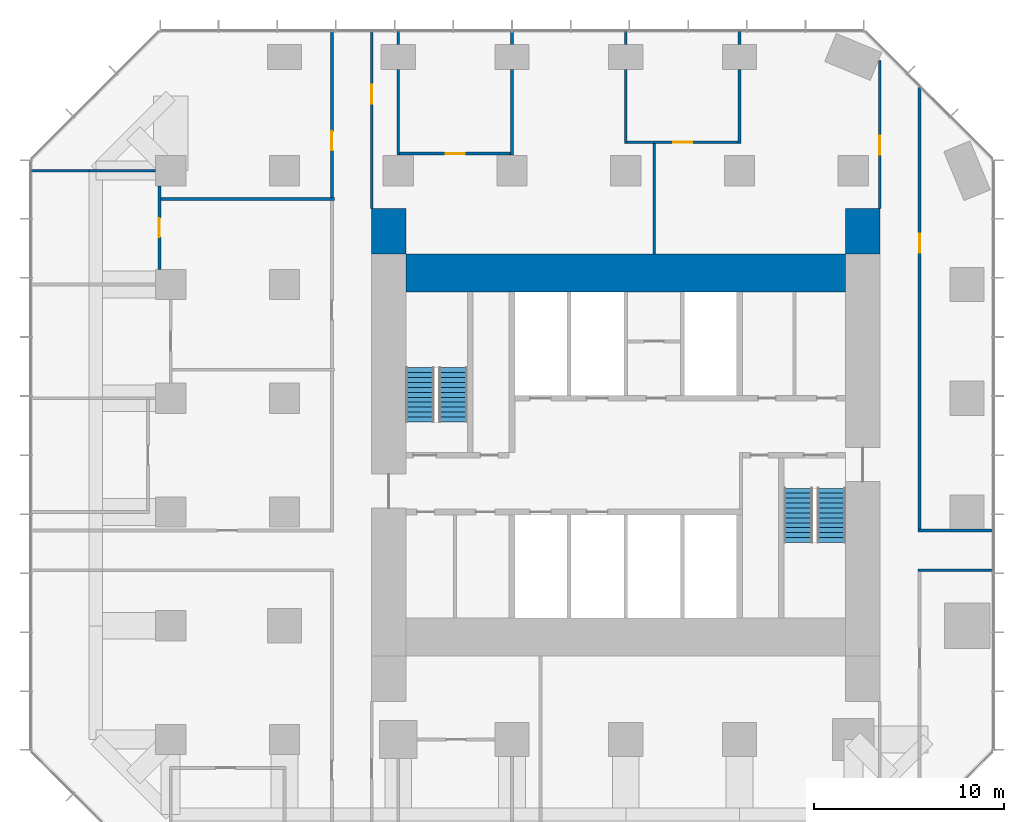
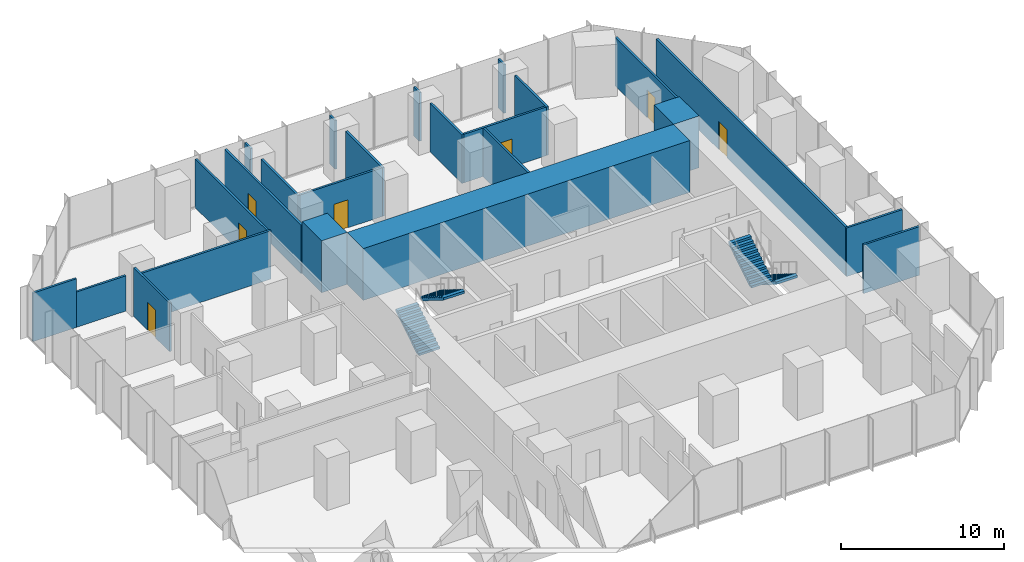
# One storey, part 10 of 11: 24 walls, 7 doors, 4 stair flights, 7 openings, 2 elements without a shape of their own.
"""IFC4 building model written with IfcOpenShell, lengths in metres."""

import ifcopenshell
import ifcopenshell.guid

model = None  # the IFC model being written
_history = None  # IfcOwnerHistory: only IFC2X3 demands one
_inside = {}  # id of a spatial element -> (the spatial element, [elements in it])
_under = {}  # id of a project, library or spatial element -> (it, [spatial elements below it])
_declared = {}  # id of a project -> (the project, [libraries it declares])
_typed = {}  # id of a type object -> (the type object, [elements of that type])
_made_of = {}  # id of a material, layer set ... -> (it, [elements and type objects made of it])


def new_model(schema):
    """Start an empty IFC model of exactly this schema.

    Asked for "IFC4X3", IfcOpenShell would pick the latest addendum, in which some entities
    have other attributes; the version numbers below select the first issue.
    IFC2X3 requires an IfcOwnerHistory on every rooted entity: one is made here for all.
    """
    global model, _history
    if schema == "IFC4X3":
        model = ifcopenshell.file(schema_version=(4, 3, 0, 0))
    else:
        model = ifcopenshell.file(schema=schema)
    _inside.clear()
    _under.clear()
    _declared.clear()
    _typed.clear()
    _made_of.clear()
    _history = None
    if model.schema == "IFC2X3":
        org = make("IfcOrganization", Name="unknown")
        user = make(
            "IfcPersonAndOrganization",
            ThePerson=make("IfcPerson", FamilyName="unknown"),
            TheOrganization=org,
        )
        app = make(
            "IfcApplication",
            ApplicationDeveloper=org,
            Version="unknown",
            ApplicationFullName="unknown",
            ApplicationIdentifier="unknown",
        )
        _history = make(
            "IfcOwnerHistory",
            OwningUser=user,
            OwningApplication=app,
            ChangeAction="ADDED",
            CreationDate=0,
        )
    return model


def make(cls, **values):
    """One entity of the class cls with the attributes given. An attribute that is None is left unset."""
    return model.create_entity(
        cls, **{name: value for name, value in values.items() if value is not None}
    )


def rooted(cls, **values):
    """An entity with a GlobalId (a new one), such as an element, a storey or a relation."""
    return make(cls, GlobalId=ifcopenshell.guid.new(), OwnerHistory=_history, **values)


def si_unit(unit_type, name, prefix=None):
    """IfcSIUnit, for example si_unit("LENGTHUNIT", "METRE", prefix="MILLI")."""
    return make("IfcSIUnit", UnitType=unit_type, Prefix=prefix, Name=name)


def assignment(units):
    """IfcUnitAssignment: the units of a project."""
    return None if units is None else make("IfcUnitAssignment", Units=units)


def point(xyz):
    """IfcCartesianPoint."""
    return None if xyz is None else make("IfcCartesianPoint", Coordinates=xyz)


def direction(xyz):
    """IfcDirection."""
    return None if xyz is None else make("IfcDirection", DirectionRatios=xyz)


def frame(location, z_axis=None, x_axis=None):
    """IfcAxis2Placement3D, a coordinate frame: its origin and axes. An axis left out is left unset."""
    return make(
        "IfcAxis2Placement3D",
        Location=point(location),
        Axis=direction(z_axis),
        RefDirection=direction(x_axis),
    )


def frame_2d(location, x_axis=None):
    """IfcAxis2Placement2D, a coordinate frame in the plane: its origin and x axis."""
    return make(
        "IfcAxis2Placement2D", Location=point(location), RefDirection=direction(x_axis)
    )


def origin():
    """The frame at (0, 0, 0) with its axes left unset."""
    return frame((0.0, 0.0, 0.0))


def place(relative_to, where):
    """IfcLocalPlacement: puts the frame where relative to a parent placement (None: the world)."""
    return make(
        "IfcLocalPlacement", PlacementRelTo=relative_to, RelativePlacement=where
    )


def context(
    kind, dimensions, precision=None, world=None, true_north=None, identifier=None
):
    """IfcGeometricRepresentationContext, for example the 3D "Model" context."""
    return make(
        "IfcGeometricRepresentationContext",
        ContextIdentifier=identifier,
        ContextType=kind,
        CoordinateSpaceDimension=dimensions,
        Precision=precision,
        WorldCoordinateSystem=world,
        TrueNorth=true_north,
    )


def subcontext(parent, identifier, kind, view, scale=None):
    """IfcGeometricRepresentationSubContext, for example "Body" below "Model"."""
    return make(
        "IfcGeometricRepresentationSubContext",
        ContextIdentifier=identifier,
        ContextType=kind,
        ParentContext=parent,
        TargetScale=scale,
        TargetView=view,
    )


def project(units=None, contexts=None):
    """IfcProject with its units and contexts."""
    return rooted(
        "IfcProject",
        Name="project",
        RepresentationContexts=contexts,
        UnitsInContext=assignment(units),
    )


def spatial(cls, under=None, at=None, **own):
    """A site, building, storey or space (cls), placed at a placement, below another one or the project."""
    s = rooted(cls, ObjectPlacement=at, **own)
    if under is not None:
        _under.setdefault(under.id(), (under, []))[1].append(s)
    return s


def polyline(points):
    """IfcPolyline through the points."""
    return make("IfcPolyline", Points=[point(p) for p in points])


def profile(cls, at=None, kind="AREA", **sizes):
    """A parametric profile (cls). Its sizes go by their IFC names, for example OverallWidth=200.0."""
    return make(cls, ProfileType=kind, Position=at, **sizes)


def rectangle(**sizes):
    """IfcRectangleProfileDef."""
    return profile("IfcRectangleProfileDef", **sizes)


def outline(outer, holes=None, kind="AREA"):
    """IfcArbitraryClosedProfileDef: a profile drawn as a closed curve; with holes, ...WithVoids."""
    if holes is None:
        return make("IfcArbitraryClosedProfileDef", ProfileType=kind, OuterCurve=outer)
    return make(
        "IfcArbitraryProfileDefWithVoids",
        ProfileType=kind,
        OuterCurve=outer,
        InnerCurves=holes,
    )


def extrude(swept, where, along, depth):
    """IfcExtrudedAreaSolid: the profile swept, set in the frame where, extruded along a direction by depth."""
    return make(
        "IfcExtrudedAreaSolid",
        SweptArea=swept,
        Position=where,
        ExtrudedDirection=direction(along),
        Depth=depth,
    )


def shape(context_of_items, identifier, shape_type, items):
    """IfcShapeRepresentation: the items that make up one representation, for example the "Body"."""
    return make(
        "IfcShapeRepresentation",
        ContextOfItems=context_of_items,
        RepresentationIdentifier=identifier,
        RepresentationType=shape_type,
        Items=items,
    )


def material(Name=None, Category=None):
    """IfcMaterial."""
    return make("IfcMaterial", Name=Name, Category=Category)


def layer(
    of_material, thickness, ventilated=None, Name=None, Category=None, Priority=None
):
    """IfcMaterialLayer: one layer of a wall or slab, of a material (None: an air gap)."""
    return make(
        "IfcMaterialLayer",
        Material=of_material,
        LayerThickness=thickness,
        IsVentilated=ventilated,
        Name=Name,
        Category=Category,
        Priority=Priority,
    )


def layer_set(layers, Name=None):
    """IfcMaterialLayerSet."""
    return make("IfcMaterialLayerSet", MaterialLayers=layers, LayerSetName=Name)


def made_of(thing, what):
    """Note that an element or type object is made of a material, layer set ...; save() writes the relation."""
    if what is not None:
        _made_of.setdefault(what.id(), (what, []))[1].append(thing)
    return thing


def type_object(cls, material=None, **own):
    """A type object (cls), such as IfcWallType, which elements share."""
    return made_of(rooted(cls, **own), material)


def element(
    cls,
    number,
    at=None,
    inside=None,
    cuts=None,
    type_object=None,
    material=None,
    context=None,
    identifier="Body",
    shape_type=None,
    held_by="IfcProductDefinitionShape",
    body=None,
    shapes=None,
    **own,
):
    """One element of the class cls, such as IfcWall. Its Tag is "e" and its number.

    at: its placement. inside: the storey or other place that contains it. cuts: it is an
    opening in that element (IfcRelVoidsElement). A single representation is given by context,
    identifier, shape_type and body (its items); several are given by shapes. held_by: the class
    of the entity that holds the representations. save() writes the other relations.
    """
    e = rooted(cls, Tag="e%d" % number, ObjectPlacement=at, **own)
    if body is not None:
        shapes = [shape(context, identifier, shape_type, body)]
    if shapes is not None:
        e.Representation = make(held_by, Representations=shapes)
    if inside is not None:
        _inside.setdefault(inside.id(), (inside, []))[1].append(e)
    if cuts is not None:
        rooted(
            "IfcRelVoidsElement", RelatingBuildingElement=cuts, RelatedOpeningElement=e
        )
    if type_object is not None:
        _typed.setdefault(type_object.id(), (type_object, []))[1].append(e)
    return made_of(e, material)


def fill(opening, filler):
    """IfcRelFillsElement: the door or window that sits in an opening."""
    return rooted(
        "IfcRelFillsElement",
        RelatingOpeningElement=opening,
        RelatedBuildingElement=filler,
    )


def aggregate(whole, parts):
    """IfcRelAggregates: a whole, such as a stair, and the parts it consists of."""
    return rooted("IfcRelAggregates", RelatingObject=whole, RelatedObjects=parts)


def save(model, path):
    """Write the relations noted so far, then the file.

    IfcRelAggregates (storeys below a building ...), IfcRelContainedInSpatialStructure (elements
    in a storey), IfcRelDefinesByType, IfcRelAssociatesMaterial and IfcRelDeclares: one each for
    every whole, place, type object, material and project.
    """
    for whole, parts in _under.values():
        aggregate(whole, parts)
    for where, things in _inside.values():
        rooted(
            "IfcRelContainedInSpatialStructure",
            RelatedElements=things,
            RelatingStructure=where,
        )
    for kind, things in _typed.values():
        rooted("IfcRelDefinesByType", RelatedObjects=things, RelatingType=kind)
    for what, things in _made_of.values():
        rooted("IfcRelAssociatesMaterial", RelatedObjects=things, RelatingMaterial=what)
    for by, libraries in _declared.values():
        rooted("IfcRelDeclares", RelatingContext=by, RelatedDefinitions=libraries)
    model.write(path)


model = new_model("IFC4")

# Units and contexts
model_context = context("Model", 3, precision=1e-05, world=origin(), true_north=direction((0.0, 1.0)))
body_context = subcontext(model_context, "Body", "Model", "MODEL_VIEW")
ifc_project = project(units=[si_unit("LENGTHUNIT", "METRE"), si_unit("AREAUNIT", "SQUARE_METRE"), si_unit("VOLUMEUNIT", "CUBIC_METRE"), si_unit("PLANEANGLEUNIT", "RADIAN"), si_unit("MASSUNIT", "GRAM", prefix="KILO")], contexts=[model_context])

# Site, building, storey
site_placement = place(None, origin())
site = spatial("IfcSite", under=ifc_project, at=site_placement, CompositionType="ELEMENT")
building_placement = place(site_placement, origin())
building = spatial("IfcBuilding", under=site, at=building_placement, Name="Highveld Stack Headquarters", CompositionType="ELEMENT")
storey_placement = place(building_placement, frame((0.0, 0.0, 132.800048828125)))
storey = spatial("IfcBuildingStorey", under=building, at=storey_placement, Name="L32", CompositionType="ELEMENT", Elevation=132.800048828125)

# Walls
ifc_material_1 = material(Name="Concrete C60/75", Category="concrete")
ifc_layer_1 = layer(ifc_material_1, 2.0)
ifc_layer_set_1 = layer_set([ifc_layer_1], Name="Concrete C60/75")
wall_type_1 = type_object("IfcWallType", Name="CORE WALL 2000 C60/75", PredefinedType="SHEAR", material=ifc_layer_set_1)
wall_1_placement = place(storey_placement, frame((-5.60009765625, 12.60009765625, 0.0), z_axis=(0.0, 0.0, 1.0), x_axis=(1.0, 0.0, 0.0)))
element("IfcWall", 1, at=wall_1_placement, inside=storey, type_object=wall_type_1, Name="Core wall N L32", PredefinedType="SHEAR", context=body_context, shape_type="SweptSolid", body=[
    extrude(rectangle(XDim=23.2001953125, YDim=2.0, at=frame_2d((11.60009765625, 0.0))), origin(), (0.0, 0.0, 1.0), 3.89990234375),
])
ifc_material_2 = material(Name="Concrete C60/75", Category="concrete")
ifc_layer_2 = layer(ifc_material_2, 1.800048828125)
ifc_layer_set_2 = layer_set([ifc_layer_2], Name="Concrete C60/75")
wall_type_2 = type_object("IfcWallType", Name="CORE WING WALL 1800 C60/75", PredefinedType="SHEAR", material=ifc_layer_set_2)
for number, where, z_axis, x_axis, name in (
    (2, (-6.5, 13.60009765625, 0.0), (0.0, 0.0, 1.0), (0.0, 1.0, 0.0), "Core wing wall WN L32"),
    (3, (18.5, 13.60009765625, 0.0), (0.0, 0.0, 1.0), (0.0, 1.0, 0.0), "Core wing wall EN L32"),
):
    element("IfcWall", number, at=place(storey_placement, frame(where, z_axis=z_axis, x_axis=x_axis)), inside=storey, type_object=wall_type_2, Name=name, PredefinedType="SHEAR", context=body_context, shape_type="SweptSolid", body=[
        extrude(rectangle(XDim=2.39990234375, YDim=1.800048828125, at=frame_2d((1.199951171875, 0.0))), origin(), (0.0, 0.0, 1.0), 3.89990234375),
    ])

# Wall, opening, door
ifc_material_3 = material(Name="Laminated glass in aluminium frame", Category="aluminium")
ifc_layer_3 = layer(ifc_material_3, 0.14990234375)
ifc_layer_set_3 = layer_set([ifc_layer_3], Name="Laminated glass in aluminium frame")
wall_type_3 = type_object("IfcWallType", Name="GLAZED PARTITION 150", PredefinedType="PARTITIONING", material=ifc_layer_set_3)
wall_2_placement = place(storey_placement, frame((-18.60009765625, 12.800048828125, 0.0), z_axis=(0.0, 0.0, 1.0), x_axis=(0.0, 1.0, 0.0)))
wall_2 = element("IfcWall", 4, at=wall_2_placement, inside=storey, type_object=wall_type_3, Name="Glazed partition Video conference room L32", PredefinedType="PARTITIONING", context=body_context, shape_type="SweptSolid", body=[
    extrude(rectangle(XDim=4.39990234375, YDim=0.14990234375, at=frame_2d((2.199951171875, 0.0))), origin(), (0.0, 0.0, 1.0), 3.64990234375),
])
opening_1_placement = place(wall_2_placement, frame((1.699951171875, 0.0, 0.0)))
opening_1 = element("IfcOpeningElement", 5, at=opening_1_placement, cuts=wall_2, Name="Opening L32-17", PredefinedType="OPENING", context=body_context, shape_type="SweptSolid", body=[
    extrude(rectangle(XDim=1.0, YDim=2.10009765625, at=frame_2d((0.5, 1.050048828125))), frame((0.0, 0.0849609375, 0.0), z_axis=(0.0, -1.0, 0.0), x_axis=(1.0, 0.0, 0.0)), (0.0, 0.0, 1.0), 0.169921875),
])
ifc_material_4 = material(Name="Timber door, oiled ash", Category="wood")
door_type = type_object("IfcDoorType", Name="ROOM DOOR D6 1000x2100", OperationType="SINGLE_SWING_LEFT", PredefinedType="DOOR", material=ifc_material_4)
door_1_placement = place(opening_1_placement, origin())
door_1 = element("IfcDoor", 6, at=door_1_placement, inside=storey, type_object=door_type, Name="Video conference room door 1 L32", OperationType="SINGLE_SWING_RIGHT", OverallHeight=2.10009765625, OverallWidth=1.0, PredefinedType="DOOR", context=body_context, shape_type="SweptSolid", body=[
    extrude(rectangle(XDim=1.0, YDim=2.10009765625, at=frame_2d((0.5, 1.050048828125))), frame((0.0, 0.02490234375, 0.0), z_axis=(0.0, -1.0, 0.0), x_axis=(1.0, 0.0, 0.0)), (0.0, 0.0, 1.0), 0.050048828125),
])
fill(opening_1, door_1)

# Walls
ifc_material_5 = material(Name="Gypsum plasterboard on steel studs", Category="steel")
ifc_layer_4 = layer(ifc_material_5, 0.14990234375)
ifc_layer_set_4 = layer_set([ifc_layer_4], Name="Gypsum plasterboard on steel studs")
wall_type_4 = type_object("IfcWallType", Name="PARTITION 150 PLASTERBOARD", PredefinedType="PARTITIONING", material=ifc_layer_set_4)
wall_3_placement = place(storey_placement, frame((-25.39990234375, 18.0, 0.0), z_axis=(0.0, 0.0, 1.0), x_axis=(1.0, 0.0, 0.0)))
element("IfcWall", 7, at=wall_3_placement, inside=storey, type_object=wall_type_4, Name="Partition Video conference room L32", PredefinedType="PARTITIONING", context=body_context, shape_type="SweptSolid", body=[
    extrude(rectangle(XDim=3.08984375, YDim=0.14990234375, at=frame_2d((1.544921875, 0.0))), origin(), (0.0, 0.0, 1.0), 3.64990234375),
])
wall_4_placement = place(storey_placement, frame((-22.31005859375, 18.0, 0.0), z_axis=(0.0, 0.0, 1.0), x_axis=(1.0, 0.0, 0.0)))
element("IfcWall", 8, at=wall_4_placement, inside=storey, type_object=wall_type_4, Name="Partition Video conference room L32", PredefinedType="PARTITIONING", context=body_context, shape_type="SweptSolid", body=[
    extrude(rectangle(XDim=3.510009765625, YDim=0.14990234375, at=frame_2d((1.7548828125, 0.0))), origin(), (0.0, 0.0, 1.0), 2.64990234375),
])

# Wall, opening, door
wall_5_placement = place(storey_placement, frame((-5.925048828125, 18.89990234375, 0.0), z_axis=(0.0, 0.0, 1.0), x_axis=(1.0, 0.0, 0.0)))
wall_5 = element("IfcWall", 9, at=wall_5_placement, inside=storey, type_object=wall_type_4, Name="Partition Interview room L32", PredefinedType="PARTITIONING", context=body_context, shape_type="SweptSolid", body=[
    extrude(rectangle(XDim=5.85009765625, YDim=0.14990234375, at=frame_2d((2.925048828125, 0.0))), origin(), (0.0, 0.0, 1.0), 3.64990234375),
])
opening_2_placement = place(wall_5_placement, frame((2.425048828125, 0.0, 0.0)))
opening_2 = element("IfcOpeningElement", 10, at=opening_2_placement, cuts=wall_5, Name="Opening L32-18", PredefinedType="OPENING", context=body_context, shape_type="SweptSolid", body=[
    extrude(rectangle(XDim=1.0, YDim=2.10009765625, at=frame_2d((0.5, 1.050048828125))), frame((0.0, 0.0849609375, 0.0), z_axis=(0.0, -1.0, 0.0), x_axis=(1.0, 0.0, 0.0)), (0.0, 0.0, 1.0), 0.169921875),
])
door_2_placement = place(opening_2_placement, origin())
door_2 = element("IfcDoor", 11, at=door_2_placement, inside=storey, type_object=door_type, Name="Interview room door 1 L32", OperationType="SINGLE_SWING_LEFT", OverallHeight=2.10009765625, OverallWidth=1.0, PredefinedType="DOOR", context=body_context, shape_type="SweptSolid", body=[
    extrude(rectangle(XDim=1.0, YDim=2.10009765625, at=frame_2d((0.5, 1.050048828125))), frame((0.0, 0.02490234375, 0.0), z_axis=(0.0, -1.0, 0.0), x_axis=(1.0, 0.0, 0.0)), (0.0, 0.0, 1.0), 0.050048828125),
])
fill(opening_2, door_2)

wall_6_placement = place(storey_placement, frame((6.074951171875, 19.5, 0.0), z_axis=(0.0, 0.0, 1.0), x_axis=(1.0, 0.0, 0.0)))
wall_6 = element("IfcWall", 12, at=wall_6_placement, inside=storey, type_object=wall_type_4, Name="Partition Quiet room L32", PredefinedType="PARTITIONING", context=body_context, shape_type="SweptSolid", body=[
    extrude(rectangle(XDim=5.85009765625, YDim=0.14990234375, at=frame_2d((2.925048828125, 0.0))), origin(), (0.0, 0.0, 1.0), 3.64990234375),
])
opening_3_placement = place(wall_6_placement, frame((2.425048828125, 0.0, 0.0)))
opening_3 = element("IfcOpeningElement", 13, at=opening_3_placement, cuts=wall_6, Name="Opening L32-19", PredefinedType="OPENING", context=body_context, shape_type="SweptSolid", body=[
    extrude(rectangle(XDim=1.0, YDim=2.10009765625, at=frame_2d((0.5, 1.050048828125))), frame((0.0, 0.0849609375, 0.0), z_axis=(0.0, -1.0, 0.0), x_axis=(1.0, 0.0, 0.0)), (0.0, 0.0, 1.0), 0.169921875),
])
door_3_placement = place(opening_3_placement, origin())
door_3 = element("IfcDoor", 14, at=door_3_placement, inside=storey, type_object=door_type, Name="Quiet room door 1 L32", OperationType="SINGLE_SWING_RIGHT", OverallHeight=2.10009765625, OverallWidth=1.0, PredefinedType="DOOR", context=body_context, shape_type="SweptSolid", body=[
    extrude(rectangle(XDim=1.0, YDim=2.10009765625, at=frame_2d((0.5, 1.050048828125))), frame((0.0, 0.02490234375, 0.0), z_axis=(0.0, -1.0, 0.0), x_axis=(1.0, 0.0, 0.0)), (0.0, 0.0, 1.0), 0.050048828125),
])
fill(opening_3, door_3)

# Walls
wall_7_placement = place(storey_placement, frame((-6.0, 18.824951171875, 0.0), z_axis=(0.0, 0.0, 1.0), x_axis=(0.0, 1.0, 0.0)))
element("IfcWall", 15, at=wall_7_placement, inside=storey, type_object=wall_type_4, Name="Partition Interview room L32", PredefinedType="PARTITIONING", context=body_context, shape_type="SweptSolid", body=[
    extrude(rectangle(XDim=4.525146484375, YDim=0.14990234375, at=frame_2d((2.2626953125, 0.0))), origin(), (0.0, 0.0, 1.0), 3.64990234375),
])
wall_8_placement = place(storey_placement, frame((-6.0, 24.64990234375, 0.0), z_axis=(0.0, 0.0, 1.0), x_axis=(0.0, 1.0, 0.0)))
element("IfcWall", 16, at=wall_8_placement, inside=storey, type_object=wall_type_4, Name="Partition Interview room L32", PredefinedType="PARTITIONING", context=body_context, shape_type="SweptSolid", body=[
    extrude(rectangle(XDim=0.75, YDim=0.14990234375, at=frame_2d((0.375, 0.0))), origin(), (0.0, 0.0, 1.0), 3.64990234375),
])
wall_9_placement = place(storey_placement, frame((0.0, 18.824951171875, 0.0), z_axis=(0.0, 0.0, 1.0), x_axis=(0.0, 1.0, 0.0)))
element("IfcWall", 17, at=wall_9_placement, inside=storey, type_object=wall_type_4, Name="Partition Interview room L32", PredefinedType="PARTITIONING", context=body_context, shape_type="SweptSolid", body=[
    extrude(rectangle(XDim=4.525146484375, YDim=0.14990234375, at=frame_2d((2.2626953125, 0.0))), origin(), (0.0, 0.0, 1.0), 3.64990234375),
])
wall_10_placement = place(storey_placement, frame((0.0, 24.64990234375, 0.0), z_axis=(0.0, 0.0, 1.0), x_axis=(0.0, 1.0, 0.0)))
element("IfcWall", 18, at=wall_10_placement, inside=storey, type_object=wall_type_4, Name="Partition Interview room L32", PredefinedType="PARTITIONING", context=body_context, shape_type="SweptSolid", body=[
    extrude(rectangle(XDim=0.7001953125, YDim=0.14990234375, at=frame_2d((0.35009765625, 0.0))), origin(), (0.0, 0.0, 1.0), 3.64990234375),
])
wall_11_placement = place(storey_placement, frame((6.0, 19.425048828125, 0.0), z_axis=(0.0, 0.0, 1.0), x_axis=(0.0, 1.0, 0.0)))
element("IfcWall", 19, at=wall_11_placement, inside=storey, type_object=wall_type_4, Name="Partition Quiet room L32", PredefinedType="PARTITIONING", context=body_context, shape_type="SweptSolid", body=[
    extrude(rectangle(XDim=3.925048828125, YDim=0.14990234375, at=frame_2d((1.96240234375, 0.0))), origin(), (0.0, 0.0, 1.0), 3.64990234375),
])
wall_12_placement = place(storey_placement, frame((6.0, 24.64990234375, 0.0), z_axis=(0.0, 0.0, 1.0), x_axis=(0.0, 1.0, 0.0)))
element("IfcWall", 20, at=wall_12_placement, inside=storey, type_object=wall_type_4, Name="Partition Quiet room L32", PredefinedType="PARTITIONING", context=body_context, shape_type="SweptSolid", body=[
    extrude(rectangle(XDim=0.75, YDim=0.14990234375, at=frame_2d((0.375, 0.0))), origin(), (0.0, 0.0, 1.0), 3.64990234375),
])
wall_13_placement = place(storey_placement, frame((12.0, 19.425048828125, 0.0), z_axis=(0.0, 0.0, 1.0), x_axis=(0.0, 1.0, 0.0)))
element("IfcWall", 21, at=wall_13_placement, inside=storey, type_object=wall_type_4, Name="Partition Quiet room L32", PredefinedType="PARTITIONING", context=body_context, shape_type="SweptSolid", body=[
    extrude(rectangle(XDim=3.925048828125, YDim=0.14990234375, at=frame_2d((1.96240234375, 0.0))), origin(), (0.0, 0.0, 1.0), 3.64990234375),
])
wall_14_placement = place(storey_placement, frame((12.0, 24.64990234375, 0.0), z_axis=(0.0, 0.0, 1.0), x_axis=(0.0, 1.0, 0.0)))
element("IfcWall", 22, at=wall_14_placement, inside=storey, type_object=wall_type_4, Name="Partition Quiet room L32", PredefinedType="PARTITIONING", context=body_context, shape_type="SweptSolid", body=[
    extrude(rectangle(XDim=0.75, YDim=0.14990234375, at=frame_2d((0.375, 0.0))), origin(), (0.0, 0.0, 1.0), 3.64990234375),
])
wall_15_placement = place(storey_placement, frame((-18.52490234375, 16.5, 0.0), z_axis=(0.0, 0.0, 1.0), x_axis=(1.0, 0.0, 0.0)))
element("IfcWall", 23, at=wall_15_placement, inside=storey, type_object=wall_type_4, Name="Partition office neighbourhood L32", PredefinedType="PARTITIONING", context=body_context, shape_type="SweptSolid", body=[
    extrude(rectangle(XDim=9.1748046875, YDim=0.14990234375, at=frame_2d((4.58740234375, 0.0))), origin(), (0.0, 0.0, 1.0), 3.64990234375),
])

# Wall, opening, door
wall_16_placement = place(storey_placement, frame((-9.5, 16.574951171875, 0.0), z_axis=(0.0, 0.0, 1.0), x_axis=(0.0, 1.0, 0.0)))
wall_16 = element("IfcWall", 24, at=wall_16_placement, inside=storey, type_object=wall_type_4, Name="Partition office neighbourhood L32", PredefinedType="PARTITIONING", context=body_context, shape_type="SweptSolid", body=[
    extrude(rectangle(XDim=8.824951171875, YDim=0.14990234375, at=frame_2d((4.41259765625, 0.0))), origin(), (0.0, 0.0, 1.0), 3.64990234375),
])
opening_4_placement = place(wall_16_placement, frame((2.5048828125, 0.0, 0.0)))
opening_4 = element("IfcOpeningElement", 25, at=opening_4_placement, cuts=wall_16, Name="Opening L32-28", PredefinedType="OPENING", context=body_context, shape_type="SweptSolid", body=[
    extrude(rectangle(XDim=1.0, YDim=2.10009765625, at=frame_2d((0.5, 1.050048828125))), frame((0.0, 0.0849609375, 0.0), z_axis=(0.0, -1.0, 0.0), x_axis=(1.0, 0.0, 0.0)), (0.0, 0.0, 1.0), 0.169921875),
])
door_4_placement = place(opening_4_placement, origin())
door_4 = element("IfcDoor", 26, at=door_4_placement, inside=storey, type_object=door_type, Name="Office neighbourhood door L32", OperationType="SINGLE_SWING_LEFT", OverallHeight=2.10009765625, OverallWidth=1.0, PredefinedType="DOOR", context=body_context, shape_type="SweptSolid", body=[
    extrude(rectangle(XDim=1.0, YDim=2.10009765625, at=frame_2d((0.5, 1.050048828125))), frame((0.0, 0.02490234375, 0.0), z_axis=(0.0, -1.0, 0.0), x_axis=(1.0, 0.0, 0.0)), (0.0, 0.0, 1.0), 0.050048828125),
])
fill(opening_4, door_4)

wall_17_placement = place(storey_placement, frame((-7.39990234375, 16.0, 0.0), z_axis=(0.0, 0.0, 1.0), x_axis=(0.0, 1.0, 0.0)))
wall_17 = element("IfcWall", 27, at=wall_17_placement, inside=storey, type_object=wall_type_4, Name="Partition office neighbourhood L32", PredefinedType="PARTITIONING", context=body_context, shape_type="SweptSolid", body=[
    extrude(rectangle(XDim=9.39990234375, YDim=0.14990234375, at=frame_2d((4.699951171875, 0.0))), origin(), (0.0, 0.0, 1.0), 3.64990234375),
])
opening_5_placement = place(wall_17_placement, frame((5.544921875, 0.0, 0.0)))
opening_5 = element("IfcOpeningElement", 28, at=opening_5_placement, cuts=wall_17, Name="Opening L32-27", PredefinedType="OPENING", context=body_context, shape_type="SweptSolid", body=[
    extrude(rectangle(XDim=1.0, YDim=2.10009765625, at=frame_2d((0.5, 1.050048828125))), frame((0.0, 0.0849609375, 0.0), z_axis=(0.0, -1.0, 0.0), x_axis=(1.0, 0.0, 0.0)), (0.0, 0.0, 1.0), 0.169921875),
])
door_5_placement = place(opening_5_placement, origin())
door_5 = element("IfcDoor", 29, at=door_5_placement, inside=storey, type_object=door_type, Name="Office neighbourhood door L32", OperationType="SINGLE_SWING_RIGHT", OverallHeight=2.10009765625, OverallWidth=1.0, PredefinedType="DOOR", context=body_context, shape_type="SweptSolid", body=[
    extrude(rectangle(XDim=1.0, YDim=2.10009765625, at=frame_2d((0.5, 1.050048828125))), frame((0.0, 0.02490234375, 0.0), z_axis=(0.0, -1.0, 0.0), x_axis=(1.0, 0.0, 0.0)), (0.0, 0.0, 1.0), 0.050048828125),
])
fill(opening_5, door_5)

# Wall
wall_18_placement = place(storey_placement, frame((7.5, 13.60009765625, 0.0), z_axis=(0.0, 0.0, 1.0), x_axis=(0.0, 1.0, 0.0)))
element("IfcWall", 30, at=wall_18_placement, inside=storey, type_object=wall_type_4, Name="Partition office neighbourhood L32", PredefinedType="PARTITIONING", context=body_context, shape_type="SweptSolid", body=[
    extrude(rectangle(XDim=5.824951171875, YDim=0.14990234375, at=frame_2d((2.91259765625, 0.0))), origin(), (0.0, 0.0, 1.0), 3.64990234375),
])

# Wall, opening, door
wall_19_placement = place(storey_placement, frame((19.39990234375, 16.0, 0.0), z_axis=(0.0, 0.0, 1.0), x_axis=(0.0, 1.0, 0.0)))
wall_19 = element("IfcWall", 31, at=wall_19_placement, inside=storey, type_object=wall_type_4, Name="Partition office neighbourhood L32", PredefinedType="PARTITIONING", context=body_context, shape_type="SweptSolid", body=[
    extrude(rectangle(XDim=7.8017578125, YDim=0.14990234375, at=frame_2d((3.90087890625, 0.0))), origin(), (0.0, 0.0, 1.0), 3.64990234375),
])
opening_6_placement = place(wall_19_placement, frame((2.85009765625, 0.0, 0.0)))
opening_6 = element("IfcOpeningElement", 32, at=opening_6_placement, cuts=wall_19, Name="Opening L32-29", PredefinedType="OPENING", context=body_context, shape_type="SweptSolid", body=[
    extrude(rectangle(XDim=1.0, YDim=2.10009765625, at=frame_2d((0.5, 1.050048828125))), frame((0.0, 0.0849609375, 0.0), z_axis=(0.0, -1.0, 0.0), x_axis=(1.0, 0.0, 0.0)), (0.0, 0.0, 1.0), 0.169921875),
])
door_6_placement = place(opening_6_placement, origin())
door_6 = element("IfcDoor", 33, at=door_6_placement, inside=storey, type_object=door_type, Name="Office neighbourhood door L32", OperationType="SINGLE_SWING_LEFT", OverallHeight=2.10009765625, OverallWidth=1.0, PredefinedType="DOOR", context=body_context, shape_type="SweptSolid", body=[
    extrude(rectangle(XDim=1.0, YDim=2.10009765625, at=frame_2d((0.5, 1.050048828125))), frame((0.0, 0.02490234375, 0.0), z_axis=(0.0, -1.0, 0.0), x_axis=(1.0, 0.0, 0.0)), (0.0, 0.0, 1.0), 0.050048828125),
])
fill(opening_6, door_6)

# Wall
wall_20_placement = place(storey_placement, frame((21.425048828125, -3.074951171875, 0.0), z_axis=(0.0, 0.0, 1.0), x_axis=(1.0, 0.0, 0.0)))
element("IfcWall", 34, at=wall_20_placement, inside=storey, type_object=wall_type_4, Name="Partition office neighbourhood L32", PredefinedType="PARTITIONING", context=body_context, shape_type="SweptSolid", body=[
    extrude(rectangle(XDim=3.974853515625, YDim=0.14990234375, at=frame_2d((1.9873046875, 0.0))), origin(), (0.0, 0.0, 1.0), 3.64990234375),
])

# Wall, opening, door
wall_21_placement = place(storey_placement, frame((21.5, -0.89990234375, 0.0), z_axis=(0.0, 0.0, 1.0), x_axis=(0.0, 1.0, 0.0)))
wall_21 = element("IfcWall", 35, at=wall_21_placement, inside=storey, type_object=wall_type_4, Name="Partition office neighbourhood L32", PredefinedType="PARTITIONING", context=body_context, shape_type="SweptSolid", body=[
    extrude(rectangle(XDim=23.287841796875, YDim=0.14990234375, at=frame_2d((11.64404296875, 0.0))), origin(), (0.0, 0.0, 1.0), 3.64990234375),
])
opening_7_placement = place(wall_21_placement, frame((14.5791015625, 0.0, 0.0)))
opening_7 = element("IfcOpeningElement", 36, at=opening_7_placement, cuts=wall_21, Name="Opening L32-25", PredefinedType="OPENING", context=body_context, shape_type="SweptSolid", body=[
    extrude(rectangle(XDim=1.0, YDim=2.10009765625, at=frame_2d((0.5, 1.050048828125))), frame((0.0, 0.0849609375, 0.0), z_axis=(0.0, -1.0, 0.0), x_axis=(1.0, 0.0, 0.0)), (0.0, 0.0, 1.0), 0.169921875),
])
door_7_placement = place(opening_7_placement, origin())
door_7 = element("IfcDoor", 37, at=door_7_placement, inside=storey, type_object=door_type, Name="Office neighbourhood door L32", OperationType="SINGLE_SWING_RIGHT", OverallHeight=2.10009765625, OverallWidth=1.0, PredefinedType="DOOR", context=body_context, shape_type="SweptSolid", body=[
    extrude(rectangle(XDim=1.0, YDim=2.10009765625, at=frame_2d((0.5, 1.050048828125))), frame((0.0, 0.02490234375, 0.0), z_axis=(0.0, -1.0, 0.0), x_axis=(1.0, 0.0, 0.0)), (0.0, 0.0, 1.0), 0.050048828125),
])
fill(opening_7, door_7)

# Wall
wall_22_placement = place(storey_placement, frame((21.425048828125, -0.97509765625, 0.0), z_axis=(0.0, 0.0, 1.0), x_axis=(1.0, 0.0, 0.0)))
element("IfcWall", 38, at=wall_22_placement, inside=storey, type_object=wall_type_4, Name="Partition office neighbourhood L32", PredefinedType="PARTITIONING", context=body_context, shape_type="SweptSolid", body=[
    extrude(rectangle(XDim=3.974853515625, YDim=0.14990234375, at=frame_2d((1.9873046875, 0.0))), origin(), (0.0, 0.0, 1.0), 3.64990234375),
])

# Stair, stair flights
ifc_material_6 = material(Name="Concrete C40/50, precast", Category="concrete")
stair_type_1 = type_object("IfcStairType", Name="STAIR S1 HALF TURN 1500", PredefinedType="HALF_TURN_STAIR", material=ifc_material_6)
stair_1_placement = place(storey_placement, origin())
stair_1 = element("IfcStair", 39, at=stair_1_placement, inside=storey, type_object=stair_type_1, Name="Stair S1 L32", PredefinedType="HALF_TURN_STAIR")
ifc_material_7 = material(Name="Concrete C40/50, precast", Category="concrete")
stair_flight_type = type_object("IfcStairFlightType", Name="STAIR FLIGHT 1500 PRECAST", PredefinedType="STRAIGHT", material=ifc_material_7)
stair_flight_1_placement = place(storey_placement, frame((-4.85009765625, 4.75, 0.0), z_axis=(0.0, 0.0, 1.0), x_axis=(0.0, 1.0, 0.0)))
stair_flight_1 = element("IfcStairFlight", 40, at=stair_flight_1_placement, type_object=stair_flight_type, Name="S1 flight 1", NumberOfRisers=12, NumberOfTreads=11, PredefinedType="STRAIGHT", RiserHeight=0.1625, TreadLength=0.26, context=body_context, shape_type="SweptSolid", body=[
    extrude(outline(polyline([(0.0, 0.0), (0.0, 0.16259765625), (0.260009765625, 0.16259765625), (0.260009765625, 0.324951171875), (0.52001953125, 0.324951171875), (0.52001953125, 0.487548828125), (0.780029296875, 0.487548828125), (0.780029296875, 0.64990234375), (1.0400390625, 0.64990234375), (1.0400390625, 0.8125), (1.300048828125, 0.8125), (1.300048828125, 0.97509765625), (1.56005859375, 0.97509765625), (1.56005859375, 1.137451171875), (1.820068359375, 1.137451171875), (1.820068359375, 1.300048828125), (2.080078125, 1.300048828125), (2.080078125, 1.46240234375), (2.340087890625, 1.46240234375), (2.340087890625, 1.625), (2.60009765625, 1.625), (2.60009765625, 1.78759765625), (2.860107421875, 1.78759765625), (2.860107421875, 1.949951171875), (2.860107421875, 1.61083984375), (0.28271484375, 0.0), (0.0, 0.0)])), frame((0.0, 0.75, 0.0), z_axis=(0.0, -1.0, 0.0), x_axis=(1.0, 0.0, 0.0)), (0.0, 0.0, 1.0), 1.5),
])
stair_flight_2_placement = place(storey_placement, frame((-3.10009765625, 7.610107421875, 1.949951171875), z_axis=(0.0, 0.0, 1.0), x_axis=(0.0, -1.0, 0.0)))
stair_flight_2 = element("IfcStairFlight", 41, at=stair_flight_2_placement, type_object=stair_flight_type, Name="S1 flight 2", NumberOfRisers=12, NumberOfTreads=11, PredefinedType="STRAIGHT", RiserHeight=0.1625, TreadLength=0.26, context=body_context, shape_type="SweptSolid", body=[
    extrude(outline(polyline([(0.0, 0.0), (0.0, 0.16259765625), (0.260009765625, 0.16259765625), (0.260009765625, 0.324951171875), (0.52001953125, 0.324951171875), (0.52001953125, 0.487548828125), (0.780029296875, 0.487548828125), (0.780029296875, 0.64990234375), (1.0400390625, 0.64990234375), (1.0400390625, 0.8125), (1.300048828125, 0.8125), (1.300048828125, 0.97509765625), (1.56005859375, 0.97509765625), (1.56005859375, 1.137451171875), (1.820068359375, 1.137451171875), (1.820068359375, 1.300048828125), (2.080078125, 1.300048828125), (2.080078125, 1.46240234375), (2.340087890625, 1.46240234375), (2.340087890625, 1.625), (2.60009765625, 1.625), (2.60009765625, 1.78759765625), (2.860107421875, 1.78759765625), (2.860107421875, 1.949951171875), (2.860107421875, 1.61083984375), (0.28271484375, 0.0), (0.0, 0.0)])), frame((0.0, 0.75, 0.0), z_axis=(0.0, -1.0, 0.0), x_axis=(1.0, 0.0, 0.0)), (0.0, 0.0, 1.0), 1.5),
])
aggregate(stair_1, [stair_flight_1, stair_flight_2])

ifc_material_8 = material(Name="Concrete C40/50, precast", Category="concrete")
stair_type_2 = type_object("IfcStairType", Name="STAIR S2 HALF TURN 1500", PredefinedType="HALF_TURN_STAIR", material=ifc_material_8)
stair_2_placement = place(storey_placement, origin())
stair_2 = element("IfcStair", 42, at=stair_2_placement, inside=storey, type_object=stair_type_2, Name="Stair S2 L32", PredefinedType="HALF_TURN_STAIR")
stair_flight_3_placement = place(storey_placement, frame((16.85009765625, 1.25, 0.0), z_axis=(0.0, 0.0, 1.0), x_axis=(0.0, -1.0, 0.0)))
stair_flight_3 = element("IfcStairFlight", 43, at=stair_flight_3_placement, type_object=stair_flight_type, Name="S2 flight 1", NumberOfRisers=12, NumberOfTreads=11, PredefinedType="STRAIGHT", RiserHeight=0.1625, TreadLength=0.26, context=body_context, shape_type="SweptSolid", body=[
    extrude(outline(polyline([(0.0, 0.0), (0.0, 0.16259765625), (0.260009765625, 0.16259765625), (0.260009765625, 0.324951171875), (0.52001953125, 0.324951171875), (0.52001953125, 0.487548828125), (0.780029296875, 0.487548828125), (0.780029296875, 0.64990234375), (1.0400390625, 0.64990234375), (1.0400390625, 0.8125), (1.300048828125, 0.8125), (1.300048828125, 0.97509765625), (1.56005859375, 0.97509765625), (1.56005859375, 1.137451171875), (1.820068359375, 1.137451171875), (1.820068359375, 1.300048828125), (2.080078125, 1.300048828125), (2.080078125, 1.46240234375), (2.340087890625, 1.46240234375), (2.340087890625, 1.625), (2.60009765625, 1.625), (2.60009765625, 1.78759765625), (2.860107421875, 1.78759765625), (2.860107421875, 1.949951171875), (2.860107421875, 1.61083984375), (0.28271484375, 0.0), (0.0, 0.0)])), frame((0.0, 0.75, 0.0), z_axis=(0.0, -1.0, 0.0), x_axis=(1.0, 0.0, 0.0)), (0.0, 0.0, 1.0), 1.5),
])
stair_flight_4_placement = place(storey_placement, frame((15.10009765625, -1.610107421875, 1.949951171875), z_axis=(0.0, 0.0, 1.0), x_axis=(0.0, 1.0, 0.0)))
stair_flight_4 = element("IfcStairFlight", 44, at=stair_flight_4_placement, type_object=stair_flight_type, Name="S2 flight 2", NumberOfRisers=12, NumberOfTreads=11, PredefinedType="STRAIGHT", RiserHeight=0.1625, TreadLength=0.26, context=body_context, shape_type="SweptSolid", body=[
    extrude(outline(polyline([(0.0, 0.0), (0.0, 0.16259765625), (0.260009765625, 0.16259765625), (0.260009765625, 0.324951171875), (0.52001953125, 0.324951171875), (0.52001953125, 0.487548828125), (0.780029296875, 0.487548828125), (0.780029296875, 0.64990234375), (1.0400390625, 0.64990234375), (1.0400390625, 0.8125), (1.300048828125, 0.8125), (1.300048828125, 0.97509765625), (1.56005859375, 0.97509765625), (1.56005859375, 1.137451171875), (1.820068359375, 1.137451171875), (1.820068359375, 1.300048828125), (2.080078125, 1.300048828125), (2.080078125, 1.46240234375), (2.340087890625, 1.46240234375), (2.340087890625, 1.625), (2.60009765625, 1.625), (2.60009765625, 1.78759765625), (2.860107421875, 1.78759765625), (2.860107421875, 1.949951171875), (2.860107421875, 1.61083984375), (0.28271484375, 0.0), (0.0, 0.0)])), frame((0.0, 0.75, 0.0), z_axis=(0.0, -1.0, 0.0), x_axis=(1.0, 0.0, 0.0)), (0.0, 0.0, 1.0), 1.5),
])
aggregate(stair_2, [stair_flight_3, stair_flight_4])

save(model, "model.ifc")
